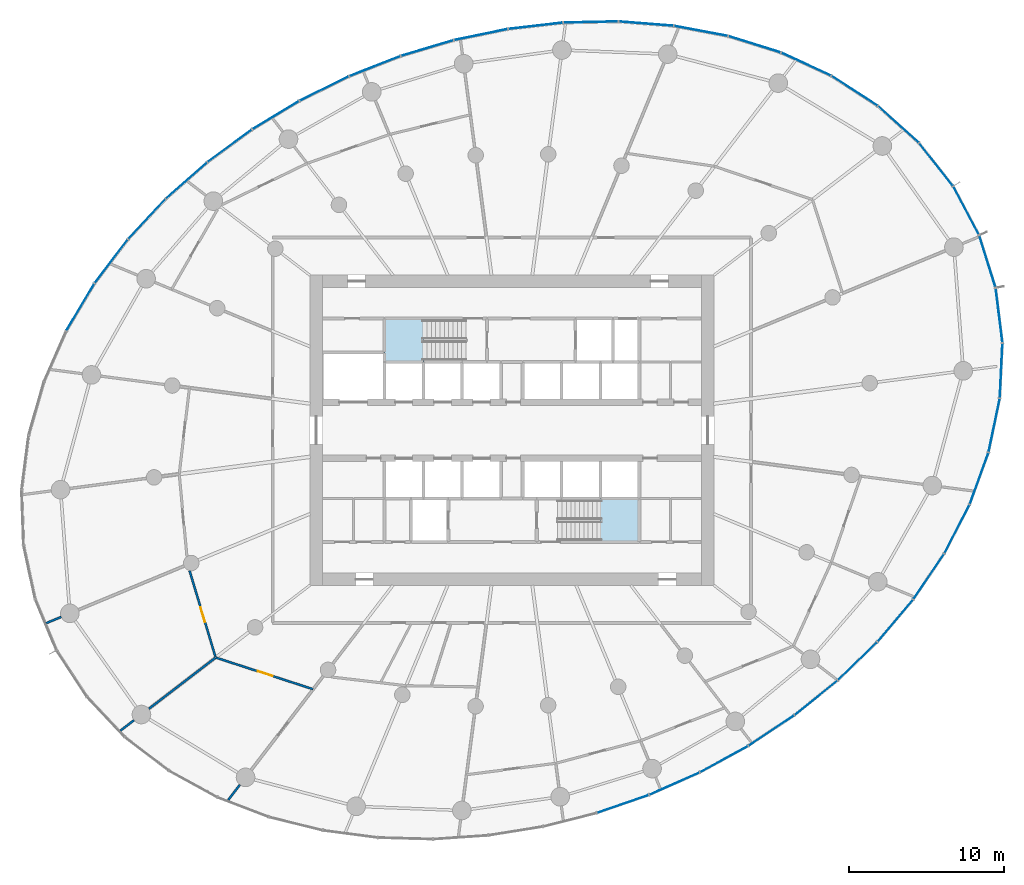
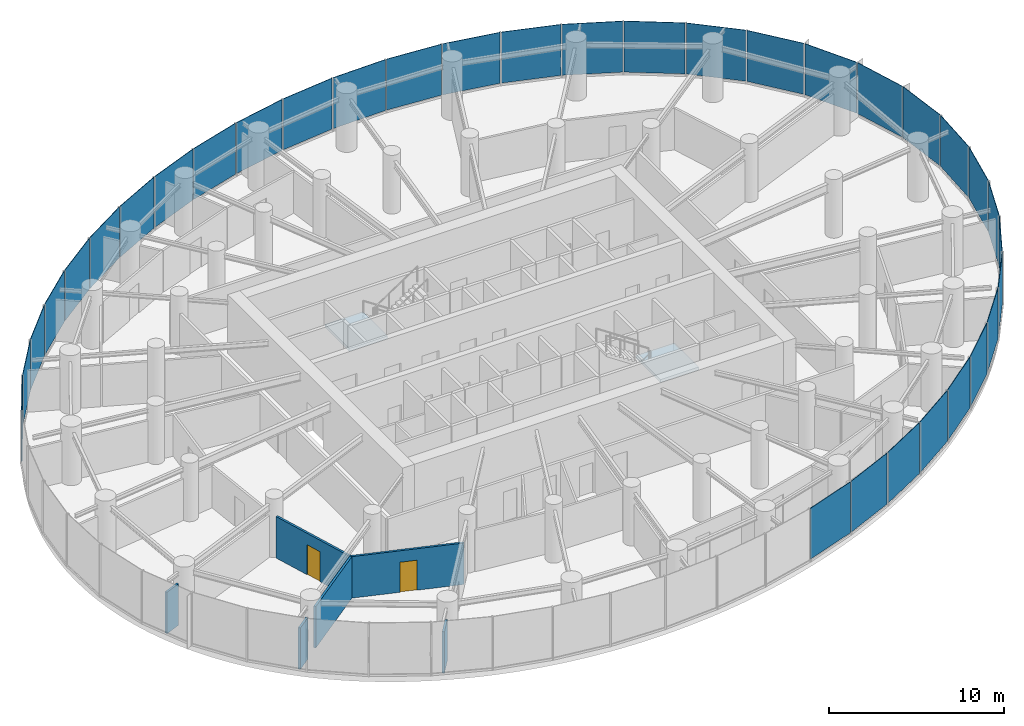
# One storey, part 9 of 17: 34 plates, 6 walls, 2 doors, 2 slabs, 2 openings, 9 elements without a shape of their own.
"""IFC4 building model written with IfcOpenShell, lengths in metres."""

from ifc_helpers import new_model, si_unit, direction, frame, frame_2d, origin, origin_2d, place, context, subcontext, project, spatial, line, indexed_curve, rectangle, outline, extrude, source, transform, mapped, material, layer, layer_set, type_object, element, fill, aggregate, save


model = new_model("IFC4")

# Units and contexts
model_context = context("Model", 3, precision=1e-05, world=origin(), true_north=direction((0.0, 1.0)))
body_context = subcontext(model_context, "Body", "Model", "MODEL_VIEW")
ifc_project = project(units=[si_unit("LENGTHUNIT", "METRE"), si_unit("AREAUNIT", "SQUARE_METRE"), si_unit("VOLUMEUNIT", "CUBIC_METRE"), si_unit("PLANEANGLEUNIT", "RADIAN"), si_unit("MASSUNIT", "GRAM", prefix="KILO")], contexts=[model_context])

# Site, building, storey
site_placement = place(None, origin())
site = spatial("IfcSite", under=ifc_project, at=site_placement, CompositionType="ELEMENT")
building_placement = place(site_placement, origin())
building = spatial("IfcBuilding", under=site, at=building_placement, Name="Spindrift Exchange Tower", CompositionType="ELEMENT")
storey_placement = place(building_placement, frame((0.0, 0.0, 88.0)))
storey = spatial("IfcBuildingStorey", under=building, at=storey_placement, Name="L20", CompositionType="ELEMENT", Elevation=88.0)

# Stair, slab
ifc_material_1 = material(Name="Concrete 50 MPa", Category="concrete")
stair_type = type_object("IfcStairType", Name="ST-1250-R186", PredefinedType="HALF_TURN_STAIR", material=ifc_material_1)
stair_1_placement = place(storey_placement, origin())
stair_1 = element("IfcStair", 1, at=stair_1_placement, inside=storey, type_object=stair_type, Name="L20 Exit stair ST1", PredefinedType="HALF_TURN_STAIR")
ifc_layer_1 = layer(ifc_material_1, 0.199951171875)
ifc_layer_set_1 = layer_set([ifc_layer_1], Name="SL-LANDING")
slab_type = type_object("IfcSlabType", Name="SL-LANDING", PredefinedType="LANDING", material=ifc_layer_set_1)
slab_1_placement = place(storey_placement, frame((0.0, 0.0, 1.85009765625)))
slab_1 = element("IfcSlab", 2, at=slab_1_placement, type_object=slab_type, Name="ST1 landing 1", PredefinedType="LANDING", context=body_context, shape_type="SweptSolid", body=[
    extrude(outline(indexed_curve([(46.330078125, 52.39990234375), (43.800048828125, 52.39990234375), (43.800048828125, 55.199951171875), (46.330078125, 55.199951171875)], segments=[line(1, 2, 3, 4, 1)], self_intersect=False)), origin(), (0.0, 0.0, 1.0), 0.199951171875),
])
aggregate(stair_1, [slab_1])

stair_2_placement = place(storey_placement, origin())
stair_2 = element("IfcStair", 3, at=stair_2_placement, inside=storey, type_object=stair_type, Name="L20 Exit stair ST2", PredefinedType="HALF_TURN_STAIR")
slab_2_placement = place(storey_placement, frame((0.0, 0.0, 1.85009765625)))
slab_2 = element("IfcSlab", 4, at=slab_2_placement, type_object=slab_type, Name="ST2 landing 1", PredefinedType="LANDING", context=body_context, shape_type="SweptSolid", body=[
    extrude(outline(indexed_curve([(57.669921875, 43.60009765625), (60.199951171875, 43.60009765625), (60.199951171875, 40.800048828125), (57.669921875, 40.800048828125)], segments=[line(1, 2, 3, 4, 1)], self_intersect=False)), origin(), (0.0, 0.0, 1.0), 0.199951171875),
])
aggregate(stair_2, [slab_2])

# Curtain wall, plate
ifc_material_2 = material(Name="Fritted laminated glass with bronze frame", Category="glass")
ifc_layer_2 = layer(ifc_material_2, 0.18994140625)
ifc_layer_set_2 = layer_set([ifc_layer_2], Name="ZONE 2 BRONZE FRITTED WALL")
curtain_wall_type = type_object("IfcCurtainWallType", Name="ZONE 2 BRONZE FRITTED WALL", PredefinedType="NOTDEFINED", material=ifc_layer_set_2)
curtain_wall_1_placement = place(storey_placement, origin())
curtain_wall_1 = element("IfcCurtainWall", 5, at=curtain_wall_1_placement, inside=storey, type_object=curtain_wall_type, Name="L20 Zone 2 Bronze Fritted Wall run 2", PredefinedType="NOTDEFINED")
ifc_material_3 = material(Name="Bronze fritted laminated glass, close frit", Category="glass")
ifc_layer_3 = layer(ifc_material_3, 0.033935546875)
ifc_layer_set_3 = layer_set([ifc_layer_3], Name="ZONE 2 BRONZE FRITTED WALL PANEL CLOSE FRIT 420")
plate_type_1 = type_object("IfcPlateType", Name="ZONE 2 BRONZE FRITTED WALL PANEL CLOSE FRIT 420", PredefinedType="CURTAIN_PANEL", material=ifc_layer_set_3)
shared_shape_1 = source(origin(), body_context, "Body", "SweptSolid", [
    extrude(rectangle(XDim=3.491455078125, YDim=0.033935546875, at=origin_2d()), origin(), (0.0, 0.0, 1.0), 3.56005859375),
])
plate_1_placement = place(storey_placement, frame((53.52294921875, 74.035400390625, 0.139892578125), z_axis=(0.0, 0.0, 1.0), x_axis=(-0.993460937342, -0.11417252724, 0.0)))
plate_1 = element("IfcPlate", 6, at=plate_1_placement, type_object=plate_type_1, Name="L20 panel CW-2.10", PredefinedType="CURTAIN_PANEL", context=body_context, shape_type="MappedRepresentation", body=[
    mapped(shared_shape_1, transform((0.0, 0.0, 0.0), scale=1.0)),
])

curtain_wall_2_placement = place(storey_placement, origin())
curtain_wall_2 = element("IfcCurtainWall", 7, at=curtain_wall_2_placement, inside=storey, type_object=curtain_wall_type, Name="L20 Zone 2 Bronze Fritted Wall run 7", PredefinedType="NOTDEFINED")
plate_2_placement = place(storey_placement, frame((71.582275390625, 30.775146484375, 0.139892578125), z_axis=(0.0, 0.0, 1.0), x_axis=(0.779759929206, 0.626078631486, 0.0)))
plate_2 = element("IfcPlate", 8, at=plate_2_placement, type_object=plate_type_1, Name="L20 panel CW-2.42", PredefinedType="CURTAIN_PANEL", context=body_context, shape_type="MappedRepresentation", body=[
    mapped(shared_shape_1, transform((0.0, 0.0, 0.0), scale=1.0)),
])

# Plate
ifc_layer_4 = layer(ifc_material_3, 0.033935546875)
ifc_layer_set_4 = layer_set([ifc_layer_4], Name="ZONE 2 BRONZE FRITTED WALL PANEL CLOSE FRIT 300")
plate_type_2 = type_object("IfcPlateType", Name="ZONE 2 BRONZE FRITTED WALL PANEL CLOSE FRIT 300", PredefinedType="CURTAIN_PANEL", material=ifc_layer_set_4)
shared_shape_2 = source(origin(), body_context, "Body", "SweptSolid", [
    extrude(rectangle(XDim=3.491455078125, YDim=0.033935546875, at=origin_2d()), origin(), (0.0, 0.0, 1.0), 3.56005859375),
])
plate_3_placement = place(storey_placement, frame((57.077392578125, 74.2763671875, 0.139892578125), z_axis=(0.0, 0.0, 1.0), x_axis=(-0.999780025056, -0.02097382891, 0.0)))
plate_3 = element("IfcPlate", 9, at=plate_3_placement, type_object=plate_type_2, Name="L20 panel CW-2.9", PredefinedType="CURTAIN_PANEL", context=body_context, shape_type="MappedRepresentation", body=[
    mapped(shared_shape_2, transform((0.0, 0.0, 0.0), scale=1.0)),
])

# Curtain wall, plate
curtain_wall_3_placement = place(storey_placement, origin())
curtain_wall_3 = element("IfcCurtainWall", 10, at=curtain_wall_3_placement, inside=storey, type_object=curtain_wall_type, Name="L20 Zone 2 Bronze Fritted Wall run 8", PredefinedType="NOTDEFINED")
plate_4_placement = place(storey_placement, frame((74.2529296875, 33.1328125, 0.139892578125), z_axis=(0.0, 0.0, 1.0), x_axis=(0.717930719304, 0.696114561175, 0.0)))
plate_4 = element("IfcPlate", 11, at=plate_4_placement, type_object=plate_type_2, Name="L20 panel CW-2.43", PredefinedType="CURTAIN_PANEL", context=body_context, shape_type="MappedRepresentation", body=[
    mapped(shared_shape_2, transform((0.0, 0.0, 0.0), scale=1.0)),
])

# Curtain wall, plates
curtain_wall_4_placement = place(storey_placement, origin())
curtain_wall_4 = element("IfcCurtainWall", 12, at=curtain_wall_4_placement, inside=storey, type_object=curtain_wall_type, Name="L20 Zone 2 Bronze Fritted Wall run 3", PredefinedType="NOTDEFINED")
shared_shape_3 = source(origin(), body_context, "Body", "SweptSolid", [
    extrude(rectangle(XDim=3.49169921875, YDim=0.033935546875, at=origin_2d()), origin(), (0.0, 0.0, 1.0), 3.56005859375),
])
plate_5_placement = place(storey_placement, frame((39.921875, 69.997802734375, 0.139892578125), z_axis=(0.0, 0.0, 1.0), x_axis=(-0.896609351375, -0.442822392192, 0.0)))
plate_5 = element("IfcPlate", 13, at=plate_5_placement, type_object=plate_type_1, Name="L20 panel CW-2.14", PredefinedType="CURTAIN_PANEL", context=body_context, shape_type="MappedRepresentation", body=[
    mapped(shared_shape_3, transform((0.0, 0.0, 0.0), scale=1.0)),
])
plate_6_placement = place(storey_placement, frame((36.796875, 68.284912109375, 0.139892578125), z_axis=(0.0, 0.0, 1.0), x_axis=(-0.855654350893, -0.517547709682, 0.0)))
plate_6 = element("IfcPlate", 14, at=plate_6_placement, type_object=plate_type_1, Name="L20 panel CW-2.15", PredefinedType="CURTAIN_PANEL", context=body_context, shape_type="MappedRepresentation", body=[
    mapped(shared_shape_3, transform((0.0, 0.0, 0.0), scale=1.0)),
])

# Plate
plate_7_placement = place(storey_placement, frame((59.1474609375, 23.94384765625, 0.139892578125), z_axis=(0.0, 0.0, 1.0), x_axis=(0.945334319978, 0.326102780532, 0.0)))
plate_7 = element("IfcPlate", 15, at=plate_7_placement, type_object=plate_type_1, Name="L20 panel CW-2.38", PredefinedType="CURTAIN_PANEL", context=body_context, shape_type="MappedRepresentation", body=[
    mapped(shared_shape_3, transform((0.0, 0.0, 0.0), scale=1.0)),
])

shared_shape_4 = source(origin(), body_context, "Body", "SweptSolid", [
    extrude(rectangle(XDim=3.49169921875, YDim=0.033935546875, at=origin_2d()), origin(), (0.0, 0.0, 1.0), 3.56005859375),
])
plate_8_placement = place(storey_placement, frame((50.0048828125, 73.471435546875, 0.139892578125), z_axis=(0.0, 0.0, 1.0), x_axis=(-0.979359911156, -0.202124131218, 0.0)))
plate_8 = element("IfcPlate", 16, at=plate_8_placement, type_object=plate_type_2, Name="L20 panel CW-2.11", PredefinedType="CURTAIN_PANEL", context=body_context, shape_type="MappedRepresentation", body=[
    mapped(shared_shape_4, transform((0.0, 0.0, 0.0), scale=1.0)),
])

plate_9_placement = place(storey_placement, frame((43.180419921875, 71.439697265625, 0.139892578125), z_axis=(0.0, 0.0, 1.0), x_axis=(-0.930729387141, -0.365708638006, 0.0)))
plate_9 = element("IfcPlate", 17, at=plate_9_placement, type_object=plate_type_2, Name="L20 panel CW-2.13", PredefinedType="CURTAIN_PANEL", context=body_context, shape_type="MappedRepresentation", body=[
    mapped(shared_shape_4, transform((0.0, 0.0, 0.0), scale=1.0)),
])

plate_10_placement = place(storey_placement, frame((33.83154296875, 66.309326171875, 0.139892578125), z_axis=(0.0, 0.0, 1.0), x_axis=(-0.807132421689, -0.590370437826, 0.0)))
plate_10 = element("IfcPlate", 18, at=plate_10_placement, type_object=plate_type_2, Name="L20 panel CW-2.16", PredefinedType="CURTAIN_PANEL", context=body_context, shape_type="MappedRepresentation", body=[
    mapped(shared_shape_4, transform((0.0, 0.0, 0.0), scale=1.0)),
])

plate_11_placement = place(storey_placement, frame((62.464111328125, 25.246826171875, 0.139892578125), z_axis=(0.0, 0.0, 1.0), x_axis=(0.91449138545, 0.404605370625, 0.0)))
plate_11 = element("IfcPlate", 19, at=plate_11_placement, type_object=plate_type_2, Name="L20 panel CW-2.39", PredefinedType="CURTAIN_PANEL", context=body_context, shape_type="MappedRepresentation", body=[
    mapped(shared_shape_4, transform((0.0, 0.0, 0.0), scale=1.0)),
])

plate_12_placement = place(storey_placement, frame((65.658935546875, 26.8251953125, 0.139892578125), z_axis=(0.0, 0.0, 1.0), x_axis=(0.877026281207, 0.480442402451, 0.0)))
plate_12 = element("IfcPlate", 20, at=plate_12_placement, type_object=plate_type_2, Name="L20 panel CW-2.40", PredefinedType="CURTAIN_PANEL", context=body_context, shape_type="MappedRepresentation", body=[
    mapped(shared_shape_4, transform((0.0, 0.0, 0.0), scale=1.0)),
])

ifc_layer_5 = layer(ifc_material_3, 0.033935546875)
ifc_layer_set_5 = layer_set([ifc_layer_5], Name="ZONE 2 BRONZE FRITTED WALL PANEL CLOSE FRIT 540")
plate_type_3 = type_object("IfcPlateType", Name="ZONE 2 BRONZE FRITTED WALL PANEL CLOSE FRIT 540", PredefinedType="CURTAIN_PANEL", material=ifc_layer_set_5)
shared_shape_5 = source(origin(), body_context, "Body", "SweptSolid", [
    extrude(rectangle(XDim=3.49169921875, YDim=0.033935546875, at=origin_2d()), origin(), (0.0, 0.0, 1.0), 3.56005859375),
])
plate_13_placement = place(storey_placement, frame((46.54931640625, 72.601318359375, 0.139892578125), z_axis=(0.0, 0.0, 1.0), x_axis=(-0.958308611953, -0.28573519954, 0.0)))
plate_13 = element("IfcPlate", 21, at=plate_13_placement, type_object=plate_type_3, Name="L20 panel CW-2.12", PredefinedType="CURTAIN_PANEL", context=body_context, shape_type="MappedRepresentation", body=[
    mapped(shared_shape_5, transform((0.0, 0.0, 0.0), scale=1.0)),
])

plate_14_placement = place(storey_placement, frame((68.70751953125, 28.67041015625, 0.139892578125), z_axis=(0.0, 0.0, 1.0), x_axis=(0.832386737537, 0.554195199522, 0.0)))
plate_14 = element("IfcPlate", 22, at=plate_14_placement, type_object=plate_type_3, Name="L20 panel CW-2.41", PredefinedType="CURTAIN_PANEL", context=body_context, shape_type="MappedRepresentation", body=[
    mapped(shared_shape_5, transform((0.0, 0.0, 0.0), scale=1.0)),
])

aggregate(curtain_wall_2, [plate_7, plate_11, plate_12, plate_14, plate_2])

shared_shape_6 = source(origin(), body_context, "Body", "SweptSolid", [
    extrude(rectangle(XDim=3.4912109375, YDim=0.033935546875, at=origin_2d()), origin(), (0.0, 0.0, 1.0), 3.56005859375),
])
plate_15_placement = place(storey_placement, frame((76.683837890625, 35.736328125, 0.139892578125), z_axis=(0.0, 0.0, 1.0), x_axis=(0.645261704376, 0.763961604313, 0.0)))
plate_15 = element("IfcPlate", 23, at=plate_15_placement, type_object=plate_type_3, Name="L20 panel CW-2.44", PredefinedType="CURTAIN_PANEL", context=body_context, shape_type="MappedRepresentation", body=[
    mapped(shared_shape_6, transform((0.0, 0.0, 0.0), scale=1.0)),
])

# Curtain wall, plates
curtain_wall_5_placement = place(storey_placement, origin())
curtain_wall_5 = element("IfcCurtainWall", 24, at=curtain_wall_5_placement, inside=storey, type_object=curtain_wall_type, Name="L20 Zone 2 Bronze Fritted Wall run 9", PredefinedType="NOTDEFINED")
shared_shape_7 = source(origin(), body_context, "Body", "SweptSolid", [
    extrude(rectangle(XDim=3.48828125, YDim=0.033935546875, at=origin_2d()), origin(), (0.0, 0.0, 1.0), 3.56005859375),
])
plate_16_placement = place(storey_placement, frame((83.363525390625, 55.389404296875, 0.139892578125), z_axis=(0.0, 0.0, 1.0), x_axis=(-0.122335323991, 0.99248882538, 0.0)))
plate_16 = element("IfcPlate", 25, at=plate_16_placement, type_object=plate_type_2, Name="L20 panel CW-2.50", PredefinedType="CURTAIN_PANEL", context=body_context, shape_type="MappedRepresentation", body=[
    mapped(shared_shape_7, transform((0.0, 0.0, 0.0), scale=1.0)),
])
shared_shape_8 = source(origin(), body_context, "Body", "SweptSolid", [
    extrude(rectangle(XDim=3.48779296875, YDim=0.033935546875, at=origin_2d()), origin(), (0.0, 0.0, 1.0), 3.56005859375),
])
plate_17_placement = place(storey_placement, frame((82.613525390625, 58.857666015625, 0.139892578125), z_axis=(0.0, 0.0, 1.0), x_axis=(-0.298676033901, 0.954354560304, 0.0)))
plate_17 = element("IfcPlate", 26, at=plate_17_placement, type_object=plate_type_3, Name="L20 panel CW-2.51", PredefinedType="CURTAIN_PANEL", context=body_context, shape_type="MappedRepresentation", body=[
    mapped(shared_shape_8, transform((0.0, 0.0, 0.0), scale=1.0)),
])

curtain_wall_6_placement = place(storey_placement, origin())
curtain_wall_6 = element("IfcCurtainWall", 27, at=curtain_wall_6_placement, inside=storey, type_object=curtain_wall_type, Name="L20 Zone 2 Bronze Fritted Wall run 1", PredefinedType="NOTDEFINED")
shared_shape_9 = source(origin(), body_context, "Body", "SweptSolid", [
    extrude(rectangle(XDim=3.48779296875, YDim=0.033935546875, at=origin_2d()), origin(), (0.0, 0.0, 1.0), 3.56005859375),
])
plate_18_placement = place(storey_placement, frame((81.246826171875, 62.131591796875, 0.139892578125), z_axis=(0.0, 0.0, 1.0), x_axis=(-0.468518930704, 0.883453457502, 0.0)))
plate_18 = element("IfcPlate", 28, at=plate_18_placement, type_object=plate_type_2, Name="L20 panel CW-2.1", PredefinedType="CURTAIN_PANEL", context=body_context, shape_type="MappedRepresentation", body=[
    mapped(shared_shape_9, transform((0.0, 0.0, 0.0), scale=1.0)),
])
shared_shape_10 = source(origin(), body_context, "Body", "SweptSolid", [
    extrude(rectangle(XDim=3.488037109375, YDim=0.033935546875, at=origin_2d()), origin(), (0.0, 0.0, 1.0), 3.56005859375),
])
plate_19_placement = place(storey_placement, frame((79.308349609375, 65.103515625, 0.139892578125), z_axis=(0.0, 0.0, 1.0), x_axis=(-0.619654381901, 0.784874797016, 0.0)))
plate_19 = element("IfcPlate", 29, at=plate_19_placement, type_object=plate_type_2, Name="L20 panel CW-2.2", PredefinedType="CURTAIN_PANEL", context=body_context, shape_type="MappedRepresentation", body=[
    mapped(shared_shape_10, transform((0.0, 0.0, 0.0), scale=1.0)),
])
shared_shape_11 = source(origin(), body_context, "Body", "SweptSolid", [
    extrude(rectangle(XDim=3.48876953125, YDim=0.033935546875, at=origin_2d()), origin(), (0.0, 0.0, 1.0), 3.56005859375),
])
plate_20_placement = place(storey_placement, frame((76.878662109375, 67.6923828125, 0.139892578125), z_axis=(0.0, 0.0, 1.0), x_axis=(-0.744025909207, 0.668150766241, 0.0)))
plate_20 = element("IfcPlate", 30, at=plate_20_placement, type_object=plate_type_1, Name="L20 panel CW-2.3", PredefinedType="CURTAIN_PANEL", context=body_context, shape_type="MappedRepresentation", body=[
    mapped(shared_shape_11, transform((0.0, 0.0, 0.0), scale=1.0)),
])
shared_shape_12 = source(origin(), body_context, "Body", "SweptSolid", [
    extrude(rectangle(XDim=3.489501953125, YDim=0.033935546875, at=origin_2d()), origin(), (0.0, 0.0, 1.0), 3.56005859375),
])
plate_21_placement = place(storey_placement, frame((74.056884765625, 69.8515625, 0.139892578125), z_axis=(0.0, 0.0, 1.0), x_axis=(-0.839450128295, 0.543436732386, 0.0)))
plate_21 = element("IfcPlate", 31, at=plate_21_placement, type_object=plate_type_3, Name="L20 panel CW-2.4", PredefinedType="CURTAIN_PANEL", context=body_context, shape_type="MappedRepresentation", body=[
    mapped(shared_shape_12, transform((0.0, 0.0, 0.0), scale=1.0)),
])
shared_shape_13 = source(origin(), body_context, "Body", "SweptSolid", [
    extrude(rectangle(XDim=3.489990234375, YDim=0.033935546875, at=origin_2d()), origin(), (0.0, 0.0, 1.0), 3.56005859375),
])
plate_22_placement = place(storey_placement, frame((70.94189453125, 71.56591796875, 0.139892578125), z_axis=(0.0, 0.0, 1.0), x_axis=(-0.908196507487, 0.418544028494, 0.0)))
plate_22 = element("IfcPlate", 32, at=plate_22_placement, type_object=plate_type_3, Name="L20 panel CW-2.5", PredefinedType="CURTAIN_PANEL", context=body_context, shape_type="MappedRepresentation", body=[
    mapped(shared_shape_13, transform((0.0, 0.0, 0.0), scale=1.0)),
])
shared_shape_14 = source(origin(), body_context, "Body", "SweptSolid", [
    extrude(rectangle(XDim=3.490478515625, YDim=0.033935546875, at=origin_2d()), origin(), (0.0, 0.0, 1.0), 3.56005859375),
])
plate_23_placement = place(storey_placement, frame((67.621337890625, 72.84375, 0.139892578125), z_axis=(0.0, 0.0, 1.0), x_axis=(-0.954490517454, 0.298241264902, 0.0)))
plate_23 = element("IfcPlate", 33, at=plate_23_placement, type_object=plate_type_2, Name="L20 panel CW-2.6", PredefinedType="CURTAIN_PANEL", context=body_context, shape_type="MappedRepresentation", body=[
    mapped(shared_shape_14, transform((0.0, 0.0, 0.0), scale=1.0)),
])
aggregate(curtain_wall_6, [plate_18, plate_19, plate_20, plate_21, plate_22, plate_23])

# Plate
shared_shape_15 = source(origin(), body_context, "Body", "SweptSolid", [
    extrude(rectangle(XDim=3.49072265625, YDim=0.033935546875, at=origin_2d()), origin(), (0.0, 0.0, 1.0), 3.56005859375),
])
plate_24_placement = place(storey_placement, frame((64.16748046875, 73.704833984375, 0.139892578125), z_axis=(0.0, 0.0, 1.0), x_axis=(-0.982795729014, 0.184695844654, 0.0)))
plate_24 = element("IfcPlate", 34, at=plate_24_placement, type_object=plate_type_3, Name="L20 panel CW-2.7", PredefinedType="CURTAIN_PANEL", context=body_context, shape_type="MappedRepresentation", body=[
    mapped(shared_shape_15, transform((0.0, 0.0, 0.0), scale=1.0)),
])

# Curtain wall, plate
curtain_wall_7_placement = place(storey_placement, origin())
curtain_wall_7 = element("IfcCurtainWall", 35, at=curtain_wall_7_placement, inside=storey, type_object=curtain_wall_type, Name="L20 Zone 2 Bronze Fritted Wall run 4", PredefinedType="NOTDEFINED")
plate_25_placement = place(storey_placement, frame((24.21435546875, 55.919921875, 0.139892578125), z_axis=(0.0, 0.0, 1.0), x_axis=(-0.511482067053, -0.859293951499, 0.0)))
plate_25 = element("IfcPlate", 36, at=plate_25_placement, type_object=plate_type_3, Name="L20 panel CW-2.20", PredefinedType="CURTAIN_PANEL", context=body_context, shape_type="MappedRepresentation", body=[
    mapped(shared_shape_15, transform((0.0, 0.0, 0.0), scale=1.0)),
])

# Plate
shared_shape_16 = source(origin(), body_context, "Body", "SweptSolid", [
    extrude(rectangle(XDim=3.4912109375, YDim=0.033935546875, at=origin_2d()), origin(), (0.0, 0.0, 1.0), 3.56005859375),
])
plate_26_placement = place(storey_placement, frame((60.6376953125, 74.173828125, 0.139892578125), z_axis=(0.0, 0.0, 1.0), x_axis=(-0.996919524336, 0.078431256514, 0.0)))
plate_26 = element("IfcPlate", 37, at=plate_26_placement, type_object=plate_type_1, Name="L20 panel CW-2.8", PredefinedType="CURTAIN_PANEL", context=body_context, shape_type="MappedRepresentation", body=[
    mapped(shared_shape_16, transform((0.0, 0.0, 0.0), scale=1.0)),
])

aggregate(curtain_wall_1, [plate_24, plate_26, plate_3, plate_1, plate_8, plate_13])

plate_27_placement = place(storey_placement, frame((28.4990234375, 61.595703125, 0.139892578125), z_axis=(0.0, 0.0, 1.0), x_axis=(-0.683073671379, -0.730349477626, 0.0)))
plate_27 = element("IfcPlate", 38, at=plate_27_placement, type_object=plate_type_1, Name="L20 panel CW-2.18", PredefinedType="CURTAIN_PANEL", context=body_context, shape_type="MappedRepresentation", body=[
    mapped(shared_shape_16, transform((0.0, 0.0, 0.0), scale=1.0)),
])

plate_28_placement = place(storey_placement, frame((26.20361328125, 58.87255859375, 0.139892578125), z_axis=(0.0, 0.0, 1.0), x_axis=(-0.604254286909, -0.796791539082, 0.0)))
plate_28 = element("IfcPlate", 39, at=plate_28_placement, type_object=plate_type_1, Name="L20 panel CW-2.19", PredefinedType="CURTAIN_PANEL", context=body_context, shape_type="MappedRepresentation", body=[
    mapped(shared_shape_16, transform((0.0, 0.0, 0.0), scale=1.0)),
])

aggregate(curtain_wall_7, [plate_28, plate_25])

shared_shape_17 = source(origin(), body_context, "Body", "SweptSolid", [
    extrude(rectangle(XDim=3.491455078125, YDim=0.033935546875, at=origin_2d()), origin(), (0.0, 0.0, 1.0), 3.56005859375),
])
plate_29_placement = place(storey_placement, frame((31.0546875, 64.0771484375, 0.139892578125), z_axis=(0.0, 0.0, 1.0), x_axis=(-0.750098373216, -0.6613262663, 0.0)))
plate_29 = element("IfcPlate", 40, at=plate_29_placement, type_object=plate_type_3, Name="L20 panel CW-2.17", PredefinedType="CURTAIN_PANEL", context=body_context, shape_type="MappedRepresentation", body=[
    mapped(shared_shape_17, transform((0.0, 0.0, 0.0), scale=1.0)),
])

aggregate(curtain_wall_4, [plate_9, plate_5, plate_6, plate_10, plate_29, plate_27])

shared_shape_18 = source(origin(), body_context, "Body", "SweptSolid", [
    extrude(rectangle(XDim=3.49072265625, YDim=0.033935546875, at=origin_2d()), origin(), (0.0, 0.0, 1.0), 3.56005859375),
])
plate_30_placement = place(storey_placement, frame((78.832275390625, 38.575927734375, 0.139892578125), z_axis=(0.0, 0.0, 1.0), x_axis=(0.559783114602, 0.828639164297, 0.0)))
plate_30 = element("IfcPlate", 41, at=plate_30_placement, type_object=plate_type_2, Name="L20 panel CW-2.45", PredefinedType="CURTAIN_PANEL", context=body_context, shape_type="MappedRepresentation", body=[
    mapped(shared_shape_18, transform((0.0, 0.0, 0.0), scale=1.0)),
])

shared_shape_19 = source(origin(), body_context, "Body", "SweptSolid", [
    extrude(rectangle(XDim=3.490478515625, YDim=0.033935546875, at=origin_2d()), origin(), (0.0, 0.0, 1.0), 3.56005859375),
])
plate_31_placement = place(storey_placement, frame((80.64892578125, 41.63720703125, 0.139892578125), z_axis=(0.0, 0.0, 1.0), x_axis=(0.459120972517, 0.888373757264, 0.0)))
plate_31 = element("IfcPlate", 42, at=plate_31_placement, type_object=plate_type_1, Name="L20 panel CW-2.46", PredefinedType="CURTAIN_PANEL", context=body_context, shape_type="MappedRepresentation", body=[
    mapped(shared_shape_19, transform((0.0, 0.0, 0.0), scale=1.0)),
])

shared_shape_20 = source(origin(), body_context, "Body", "SweptSolid", [
    extrude(rectangle(XDim=3.489990234375, YDim=0.033935546875, at=origin_2d()), origin(), (0.0, 0.0, 1.0), 3.56005859375),
])
plate_32_placement = place(storey_placement, frame((82.0751953125, 44.896484375, 0.139892578125), z_axis=(0.0, 0.0, 1.0), x_axis=(0.341035912161, 0.940050268133, 0.0)))
plate_32 = element("IfcPlate", 43, at=plate_32_placement, type_object=plate_type_1, Name="L20 panel CW-2.47", PredefinedType="CURTAIN_PANEL", context=body_context, shape_type="MappedRepresentation", body=[
    mapped(shared_shape_20, transform((0.0, 0.0, 0.0), scale=1.0)),
])

shared_shape_21 = source(origin(), body_context, "Body", "SweptSolid", [
    extrude(rectangle(XDim=3.489501953125, YDim=0.033935546875, at=origin_2d()), origin(), (0.0, 0.0, 1.0), 3.56005859375),
])
plate_33_placement = place(storey_placement, frame((83.046630859375, 48.31689453125, 0.139892578125), z_axis=(0.0, 0.0, 1.0), x_axis=(0.203906600974, 0.978990346265, 0.0)))
plate_33 = element("IfcPlate", 44, at=plate_33_placement, type_object=plate_type_2, Name="L20 panel CW-2.48", PredefinedType="CURTAIN_PANEL", context=body_context, shape_type="MappedRepresentation", body=[
    mapped(shared_shape_21, transform((0.0, 0.0, 0.0), scale=1.0)),
])

aggregate(curtain_wall_3, [plate_4, plate_15, plate_30, plate_31, plate_32, plate_33])

shared_shape_22 = source(origin(), body_context, "Body", "SweptSolid", [
    extrude(rectangle(XDim=3.48876953125, YDim=0.033935546875, at=origin_2d()), origin(), (0.0, 0.0, 1.0), 3.56005859375),
])
plate_34_placement = place(storey_placement, frame((83.495849609375, 51.841552734375, 0.139892578125), z_axis=(0.0, 0.0, 1.0), x_axis=(0.048124566827, 0.998841341789, 0.0)))
plate_34 = element("IfcPlate", 45, at=plate_34_placement, type_object=plate_type_3, Name="L20 panel CW-2.49", PredefinedType="CURTAIN_PANEL", context=body_context, shape_type="MappedRepresentation", body=[
    mapped(shared_shape_22, transform((0.0, 0.0, 0.0), scale=1.0)),
])

aggregate(curtain_wall_5, [plate_34, plate_16, plate_17])

# Wall, opening, door
ifc_material_4 = material(Name="Fire-rated plasterboard partition", Category="gypsum")
ifc_layer_6 = layer(ifc_material_4, 0.139892578125)
ifc_layer_set_6 = layer_set([ifc_layer_6], Name="W-PLANT-140")
wall_type = type_object("IfcWallType", Name="W-PLANT-140", PredefinedType="PARTITIONING", material=ifc_layer_set_6)
wall_1_placement = place(storey_placement, frame((39.208251953125, 31.32958984375, 0.0), z_axis=(0.0, 0.0, 1.0), x_axis=(-0.951175578821, 0.308650317115, 0.0)))
wall_1 = element("IfcWall", 46, at=wall_1_placement, inside=storey, type_object=wall_type, Name="L20 Partition wall 68", PredefinedType="PARTITIONING", context=body_context, shape_type="SweptSolid", body=[
    extrude(rectangle(XDim=6.600830078125, YDim=0.139892578125, at=frame_2d((3.30029296875, 0.0))), origin(), (0.0, 0.0, 1.0), 2.89990234375),
])
opening_1_placement = place(wall_1_placement, frame((2.750732421875, 0.0, 0.0)))
opening_1 = element("IfcOpeningElement", 47, at=opening_1_placement, cuts=wall_1, Name="Opening L20-D50", PredefinedType="OPENING", context=body_context, shape_type="SweptSolid", body=[
    extrude(rectangle(XDim=1.0, YDim=2.10009765625, at=frame_2d((0.5, 1.050048828125))), frame((0.0, 0.079833984375, 0.0), z_axis=(0.0, -1.0, 0.0), x_axis=(1.0, 0.0, 0.0)), (0.0, 0.0, 1.0), 0.159912109375),
])
ifc_material_5 = material(Name="Timber-core fire door", Category="wood")
door_type = type_object("IfcDoorType", Name="DR-ROOM-1000", OperationType="NOTDEFINED", PredefinedType="DOOR", material=ifc_material_5)
shared_shape_23 = source(origin(), body_context, "Body", "SweptSolid", [
    extrude(rectangle(XDim=1.0, YDim=2.10009765625, at=frame_2d((0.5, 1.050048828125))), frame((0.0, 0.02490234375, 0.0), z_axis=(0.0, -1.0, 0.0), x_axis=(1.0, 0.0, 0.0)), (0.0, 0.0, 1.0), 0.050048828125),
])
door_1_placement = place(opening_1_placement, origin())
door_1 = element("IfcDoor", 48, at=door_1_placement, inside=storey, type_object=door_type, Name="L20 Door 50", OperationType="SINGLE_SWING_LEFT", OverallHeight=2.10009765625, OverallWidth=1.0, PredefinedType="DOOR", context=body_context, shape_type="MappedRepresentation", body=[
    mapped(shared_shape_23, transform((0.0, 0.0, 0.0), scale=1.0)),
])
fill(opening_1, door_1)

wall_2_placement = place(storey_placement, frame((32.921142578125, 33.3955078125, 0.0), z_axis=(0.0, 0.0, 1.0), x_axis=(-0.287768141446, 0.957700107951, 0.0)))
wall_2 = element("IfcWall", 49, at=wall_2_placement, inside=storey, type_object=wall_type, Name="L20 Partition wall 78", PredefinedType="PARTITIONING", context=body_context, shape_type="SweptSolid", body=[
    extrude(rectangle(XDim=5.808837890625, YDim=0.139892578125, at=frame_2d((2.904296875, 0.0))), origin(), (0.0, 0.0, 1.0), 2.89990234375),
])
opening_2_placement = place(wall_2_placement, frame((2.35888671875, 0.0, 0.0)))
opening_2 = element("IfcOpeningElement", 50, at=opening_2_placement, cuts=wall_2, Name="Opening L20-D49", PredefinedType="OPENING", context=body_context, shape_type="SweptSolid", body=[
    extrude(rectangle(XDim=1.0, YDim=2.10009765625, at=frame_2d((0.5, 1.050048828125))), frame((0.0, 0.079833984375, 0.0), z_axis=(0.0, -1.0, 0.0), x_axis=(1.0, 0.0, 0.0)), (0.0, 0.0, 1.0), 0.159912109375),
])
door_2_placement = place(opening_2_placement, origin())
door_2 = element("IfcDoor", 51, at=door_2_placement, inside=storey, type_object=door_type, Name="L20 Door 49", OperationType="SINGLE_SWING_RIGHT", OverallHeight=2.10009765625, OverallWidth=1.0, PredefinedType="DOOR", context=body_context, shape_type="MappedRepresentation", body=[
    mapped(shared_shape_23, transform((0.0, 0.0, 0.0), scale=1.0)),
])
fill(opening_2, door_2)

# Walls
wall_3_placement = place(storey_placement, frame((32.906005859375, 33.3486328125, 0.0), z_axis=(0.0, 0.0, 1.0), x_axis=(-0.793372937326, -0.608735888805, 0.0)))
element("IfcWall", 52, at=wall_3_placement, inside=storey, type_object=wall_type, Name="L20 Partition wall 85", PredefinedType="PARTITIONING", context=body_context, shape_type="SweptSolid", body=[
    extrude(rectangle(XDim=5.38818359375, YDim=0.139892578125, at=frame_2d((2.694091796875, 0.0))), origin(), (0.0, 0.0, 1.0), 2.89990234375),
])
wall_4_placement = place(storey_placement, frame((34.486328125, 25.17578125, 0.0), z_axis=(0.0, 0.0, 1.0), x_axis=(-0.608646134538, -0.793441795541, 0.0)))
element("IfcWall", 53, at=wall_4_placement, inside=storey, type_object=wall_type, Name="L20 Partition wall 129", PredefinedType="PARTITIONING", context=body_context, shape_type="SweptSolid", body=[
    extrude(rectangle(XDim=1.241943359375, YDim=0.139892578125, at=frame_2d((0.62109375, 0.0))), origin(), (0.0, 0.0, 1.0), 2.89990234375),
])
wall_5_placement = place(storey_placement, frame((27.67236328125, 29.332763671875, 0.0), z_axis=(0.0, 0.0, 1.0), x_axis=(-0.793279591373, -0.608857528418, 0.0)))
element("IfcWall", 54, at=wall_5_placement, inside=storey, type_object=wall_type, Name="L20 Partition wall 133", PredefinedType="PARTITIONING", context=body_context, shape_type="SweptSolid", body=[
    extrude(rectangle(XDim=1.106689453125, YDim=0.139892578125, at=frame_2d((0.55322265625, 0.0))), origin(), (0.0, 0.0, 1.0), 2.89990234375),
])
wall_6_placement = place(storey_placement, frame((22.985595703125, 35.981689453125, 0.0), z_axis=(0.0, 0.0, 1.0), x_axis=(-0.923956302996, -0.382498039412, 0.0)))
element("IfcWall", 55, at=wall_6_placement, inside=storey, type_object=wall_type, Name="L20 Partition wall 135", PredefinedType="PARTITIONING", context=body_context, shape_type="SweptSolid", body=[
    extrude(rectangle(XDim=1.081298828125, YDim=0.139892578125, at=frame_2d((0.54052734375, 0.0))), origin(), (0.0, 0.0, 1.0), 2.89990234375),
])

save(model, "model.ifc")
